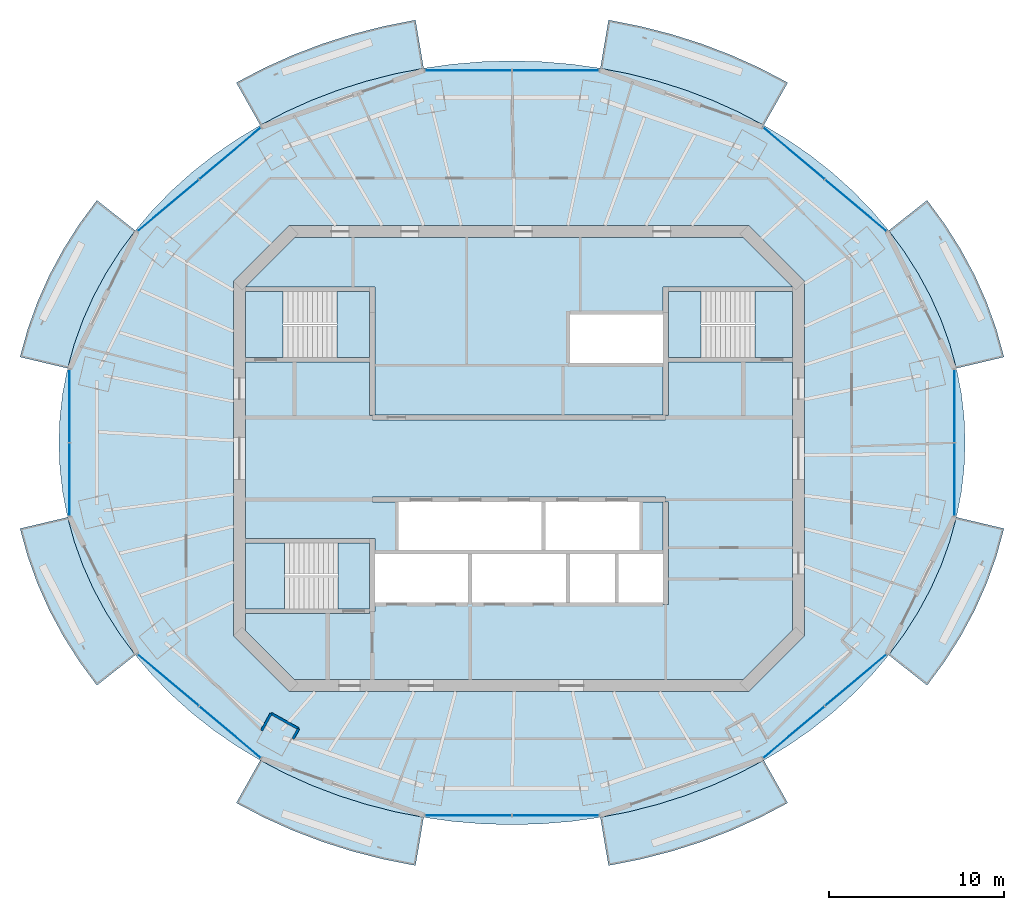
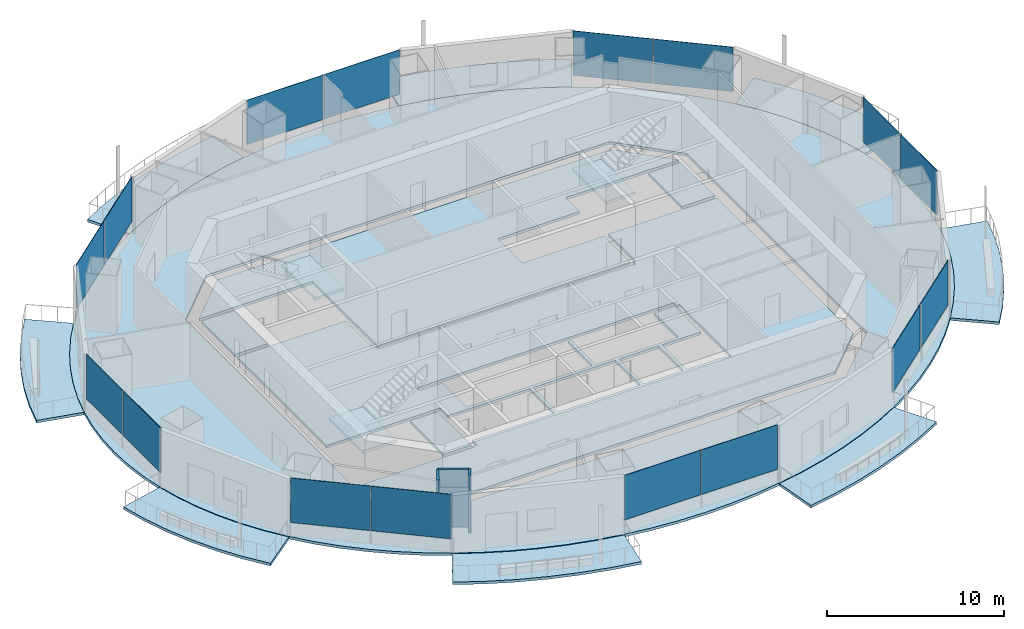
# One storey, part 7 of 16: 17 slabs, 16 plates, 3 walls, 11 elements without a shape of their own.
"""IFC4 building model written with IfcOpenShell, lengths in metres."""

from ifc_helpers import new_model, si_unit, direction, frame, frame_2d, origin, origin_2d, place, context, subcontext, project, spatial, polyline, rectangle, outline, extrude, material, layer, layer_set, type_object, element, aggregate, save


model = new_model("IFC4")

# Units and contexts
model_context = context("Model", 3, precision=1e-05, world=origin(), true_north=direction((0.0, 1.0)))
body_context = subcontext(model_context, "Body", "Model", "MODEL_VIEW")
ifc_project = project(units=[si_unit("LENGTHUNIT", "METRE"), si_unit("AREAUNIT", "SQUARE_METRE"), si_unit("VOLUMEUNIT", "CUBIC_METRE"), si_unit("PLANEANGLEUNIT", "RADIAN"), si_unit("MASSUNIT", "GRAM", prefix="KILO")], contexts=[model_context])

# Site, building, storey
site_placement = place(None, origin())
site = spatial("IfcSite", under=ifc_project, at=site_placement, CompositionType="ELEMENT")
building_placement = place(site_placement, origin())
building = spatial("IfcBuilding", under=site, at=building_placement, Name="Marenthal Gate Tower", CompositionType="ELEMENT")
storey_placement = place(building_placement, frame((0.0, 0.0, 379.949951171875)))
storey = spatial("IfcBuildingStorey", under=building, at=storey_placement, Name="L86", CompositionType="ELEMENT", Elevation=379.949951171875)

# Slabs
ifc_material_1 = material(Name="Concrete 40 MPa", Category="concrete")
ifc_layer_1 = layer(ifc_material_1, 0.179931640625)
ifc_layer_set_1 = layer_set([ifc_layer_1], Name="Balcony deck 180")
slab_type_1 = type_object("IfcSlabType", Name="Balcony deck 180", PredefinedType="USERDEFINED", material=ifc_layer_set_1)
slab_1_placement = place(storey_placement, frame((0.0, 0.0, -0.219970703125)))
element("IfcSlab", 1, at=slab_1_placement, inside=storey, type_object=slab_type_1, Name="Balcony deck L86 bay 1", ObjectType="BALCONY", PredefinedType="USERDEFINED", context=body_context, shape_type="SweptSolid", body=[
    extrude(outline(polyline([(25.04345703125, 5.16552734375), (24.657958984375, 6.55908203125), (24.165283203125, 7.92822265625), (23.5673828125, 9.267333984375), (22.86669921875, 10.570556640625), (22.06640625, 11.83251953125), (21.169921875, 13.047607421875), (23.3642578125, 14.786865234375), (24.37646484375, 13.414794921875), (25.283447265625, 11.984619140625), (26.080322265625, 10.50244140625), (26.762451171875, 8.974365234375), (27.326416015625, 7.407470703125), (27.7685546875, 5.808837890625), (25.04345703125, 5.16552734375)])), origin(), (0.0, 0.0, 1.0), 0.179931640625),
])
slab_2_placement = place(storey_placement, frame((0.0, 0.0, -0.219970703125)))
element("IfcSlab", 2, at=slab_2_placement, inside=storey, type_object=slab_type_1, Name="Balcony deck L86 bay 3", ObjectType="BALCONY", PredefinedType="USERDEFINED", context=body_context, shape_type="SweptSolid", body=[
    extrude(outline(polyline([(14.0126953125, 19.080078125), (12.571044921875, 19.835693359375), (11.073974609375, 20.510009765625), (9.527587890625, 21.1005859375), (7.938720703125, 21.6044921875), (6.314208984375, 22.02001953125), (4.660888671875, 22.344970703125), (5.1240234375, 25.1064453125), (6.93115234375, 24.751220703125), (8.708984375, 24.296630859375), (10.450439453125, 23.744140625), (12.148681640625, 23.095703125), (13.796142578125, 22.353271484375), (15.386474609375, 21.519775390625), (14.0126953125, 19.080078125)])), origin(), (0.0, 0.0, 1.0), 0.179931640625),
])
slab_3_placement = place(storey_placement, frame((0.0, 0.0, -0.219970703125)))
element("IfcSlab", 3, at=slab_3_placement, inside=storey, type_object=slab_type_1, Name="Balcony deck L86 bay 5", ObjectType="BALCONY", PredefinedType="USERDEFINED", context=body_context, shape_type="SweptSolid", body=[
    extrude(outline(polyline([(-5.4609375, 22.344970703125), (-7.1142578125, 22.02001953125), (-8.73876953125, 21.6044921875), (-10.32763671875, 21.1005859375), (-11.873779296875, 20.510009765625), (-13.37109375, 19.835693359375), (-14.8125, 19.080078125), (-16.1865234375, 21.519775390625), (-14.59619140625, 22.353271484375), (-12.948486328125, 23.095703125), (-11.25048828125, 23.744140625), (-9.509033203125, 24.296630859375), (-7.731201171875, 24.751220703125), (-5.924072265625, 25.1064453125), (-5.4609375, 22.344970703125)])), origin(), (0.0, 0.0, 1.0), 0.179931640625),
])
slab_4_placement = place(storey_placement, frame((0.0, 0.0, -0.219970703125)))
element("IfcSlab", 4, at=slab_4_placement, inside=storey, type_object=slab_type_1, Name="Balcony deck L86 bay 7", ObjectType="BALCONY", PredefinedType="USERDEFINED", context=body_context, shape_type="SweptSolid", body=[
    extrude(outline(polyline([(-21.969970703125, 13.047607421875), (-22.866455078125, 11.83251953125), (-23.666748046875, 10.570556640625), (-24.3671875, 9.267333984375), (-24.96533203125, 7.92822265625), (-25.4580078125, 6.55908203125), (-25.843505859375, 5.16552734375), (-28.568603515625, 5.808837890625), (-28.12646484375, 7.407470703125), (-27.5625, 8.974365234375), (-26.880126953125, 10.50244140625), (-26.08349609375, 11.984619140625), (-25.176513671875, 13.414794921875), (-24.1640625, 14.786865234375), (-21.969970703125, 13.047607421875)])), origin(), (0.0, 0.0, 1.0), 0.179931640625),
])
slab_5_placement = place(storey_placement, frame((0.0, 0.0, -0.219970703125)))
element("IfcSlab", 5, at=slab_5_placement, inside=storey, type_object=slab_type_1, Name="Balcony deck L86 bay 9", ObjectType="BALCONY", PredefinedType="USERDEFINED", context=body_context, shape_type="SweptSolid", body=[
    extrude(outline(polyline([(-25.843505859375, -3.365478515625), (-25.4580078125, -4.759033203125), (-24.96533203125, -6.12841796875), (-24.3671875, -7.46728515625), (-23.666748046875, -8.7705078125), (-22.866455078125, -10.032470703125), (-21.969970703125, -11.24755859375), (-24.1640625, -12.987060546875), (-25.176513671875, -11.61474609375), (-26.08349609375, -10.1845703125), (-26.880126953125, -8.702392578125), (-27.5625, -7.17431640625), (-28.12646484375, -5.607421875), (-28.568603515625, -4.0087890625), (-25.843505859375, -3.365478515625)])), origin(), (0.0, 0.0, 1.0), 0.179931640625),
])
slab_6_placement = place(storey_placement, frame((0.0, 0.0, -0.219970703125)))
element("IfcSlab", 6, at=slab_6_placement, inside=storey, type_object=slab_type_1, Name="Balcony deck L86 bay 11", ObjectType="BALCONY", PredefinedType="USERDEFINED", context=body_context, shape_type="SweptSolid", body=[
    extrude(outline(polyline([(-14.8125, -17.280029296875), (-13.37109375, -18.03564453125), (-11.873779296875, -18.710205078125), (-10.32763671875, -19.300537109375), (-8.73876953125, -19.8046875), (-7.1142578125, -20.219970703125), (-5.4609375, -20.544921875), (-5.924072265625, -23.306396484375), (-7.731201171875, -22.951171875), (-9.509033203125, -22.49658203125), (-11.25048828125, -21.944091796875), (-12.948486328125, -21.295654296875), (-14.59619140625, -20.55322265625), (-16.1865234375, -19.7197265625), (-14.8125, -17.280029296875)])), origin(), (0.0, 0.0, 1.0), 0.179931640625),
])
slab_7_placement = place(storey_placement, frame((0.0, 0.0, -0.219970703125)))
element("IfcSlab", 7, at=slab_7_placement, inside=storey, type_object=slab_type_1, Name="Balcony deck L86 bay 13", ObjectType="BALCONY", PredefinedType="USERDEFINED", context=body_context, shape_type="SweptSolid", body=[
    extrude(outline(polyline([(4.660888671875, -20.544921875), (6.314208984375, -20.219970703125), (7.938720703125, -19.8046875), (9.527587890625, -19.300537109375), (11.073974609375, -18.710205078125), (12.571044921875, -18.03564453125), (14.0126953125, -17.280029296875), (15.386474609375, -19.7197265625), (13.796142578125, -20.55322265625), (12.148681640625, -21.295654296875), (10.450439453125, -21.944091796875), (8.708984375, -22.49658203125), (6.93115234375, -22.951171875), (5.1240234375, -23.306396484375), (4.660888671875, -20.544921875)])), origin(), (0.0, 0.0, 1.0), 0.179931640625),
])
slab_8_placement = place(storey_placement, frame((0.0, 0.0, -0.219970703125)))
element("IfcSlab", 8, at=slab_8_placement, inside=storey, type_object=slab_type_1, Name="Balcony deck L86 bay 15", ObjectType="BALCONY", PredefinedType="USERDEFINED", context=body_context, shape_type="SweptSolid", body=[
    extrude(outline(polyline([(21.169921875, -11.24755859375), (22.06640625, -10.032470703125), (22.86669921875, -8.7705078125), (23.5673828125, -7.46728515625), (24.165283203125, -6.12841796875), (24.657958984375, -4.759033203125), (25.04345703125, -3.365478515625), (27.7685546875, -4.0087890625), (27.326416015625, -5.607421875), (26.762451171875, -7.17431640625), (26.080322265625, -8.702392578125), (25.283447265625, -10.1845703125), (24.37646484375, -11.61474609375), (23.3642578125, -12.987060546875), (21.169921875, -11.24755859375)])), origin(), (0.0, 0.0, 1.0), 0.179931640625),
])
ifc_material_2 = material(Name="Concrete 50 MPa", Category="concrete")
ifc_layer_2 = layer(ifc_material_2, 0.179931640625)
ifc_layer_set_2 = layer_set([ifc_layer_2], Name="Core floor slab 180")
slab_type_2 = type_object("IfcSlabType", Name="Core floor slab 180", PredefinedType="FLOOR", material=ifc_layer_set_2)
slab_9_placement = place(storey_placement, frame((0.0, 0.0, -0.179931640625)))
element("IfcSlab", 9, at=slab_9_placement, inside=storey, type_object=slab_type_2, Name="Core floor L86", PredefinedType="FLOOR", context=body_context, shape_type="SweptSolid", body=[
    extrude(outline(polyline([(12.85498046875, -12.64990234375), (-12.85498046875, -12.64990234375), (-15.64990234375, -9.85498046875), (-15.64990234375, -8.875), (-8.550048828125, -8.875), (-8.550048828125, -8.75), (-8.25, -8.75), (-8.25, -8.239990234375), (-5.60009765625, -8.239990234375), (-2.909912109375, -8.239990234375), (-2.909912109375, -5.4599609375), (-5.60009765625, -5.4599609375), (-8.25, -5.4599609375), (-8.25, -4.574951171875), (-8.550048828125, -4.574951171875), (-15.64990234375, -4.574951171875), (-15.64990234375, 5.52490234375), (-8.550048828125, 5.52490234375), (-8.550048828125, 2.5), (-8.39990234375, 2.5), (-8.39990234375, 2.199951171875), (8.39990234375, 2.199951171875), (8.39990234375, 2.5), (8.550048828125, 2.5), (8.550048828125, 5.52490234375), (15.64990234375, 5.52490234375), (15.64990234375, -9.85498046875), (12.85498046875, -12.64990234375)]), holes=[polyline([(0.0, -8.239990234375), (2.68994140625, -8.239990234375), (2.68994140625, -5.4599609375), (0.0, -5.4599609375), (-2.68994140625, -5.4599609375), (-2.68994140625, -8.239990234375), (0.0, -8.239990234375)]), polyline([(1.2900390625, -5.239990234375), (1.2900390625, -2.5), (1.510009765625, -2.5), (1.510009765625, -5.239990234375), (4.199951171875, -5.239990234375), (6.889892578125, -5.239990234375), (6.889892578125, -2.5), (8.25, -2.5), (8.25, -5.4599609375), (5.7099609375, -5.4599609375), (5.7099609375, -8.239990234375), (8.25, -8.239990234375), (8.25, -8.35009765625), (8.550048828125, -8.35009765625), (8.550048828125, -2.5), (8.39990234375, -2.5), (8.39990234375, -2.199951171875), (-8.39990234375, -2.199951171875), (-8.39990234375, -2.5), (-6.889892578125, -2.5), (-6.889892578125, -5.239990234375), (-4.199951171875, -5.239990234375), (-1.39990234375, -5.239990234375), (1.2900390625, -5.239990234375)]), polyline([(5.489990234375, -5.4599609375), (2.909912109375, -5.4599609375), (2.909912109375, -8.239990234375), (5.489990234375, -8.239990234375), (5.489990234375, -5.4599609375)])]), origin(), (0.0, 0.0, 1.0), 0.179931640625),
])
slab_10_placement = place(storey_placement, frame((0.0, 0.0, -0.179931640625)))
element("IfcSlab", 10, at=slab_10_placement, inside=storey, type_object=slab_type_2, Name="Core floor L86", PredefinedType="FLOOR", context=body_context, shape_type="SweptSolid", body=[
    extrude(outline(polyline([(15.64990234375, 5.77490234375), (13.5, 5.77490234375), (13.5, 9.574951171875), (15.64990234375, 9.574951171875), (15.64990234375, 5.77490234375)])), origin(), (0.0, 0.0, 1.0), 0.179931640625),
])
slab_11_placement = place(storey_placement, frame((0.0, 0.0, -0.179931640625)))
element("IfcSlab", 11, at=slab_11_placement, inside=storey, type_object=slab_type_2, Name="Core floor L86", PredefinedType="FLOOR", context=body_context, shape_type="SweptSolid", body=[
    extrude(outline(polyline([(15.64990234375, 9.824951171875), (8.550048828125, 9.824951171875), (8.25, 9.824951171875), (8.25, 8.35009765625), (8.25, 8.239990234375), (5.60009765625, 8.239990234375), (2.909912109375, 8.239990234375), (2.909912109375, 5.4599609375), (5.60009765625, 5.4599609375), (8.25, 5.4599609375), (8.25, 2.5), (-8.25, 2.5), (-8.25, 8.35009765625), (-8.25, 9.824951171875), (-8.550048828125, 9.824951171875), (-15.64990234375, 9.824951171875), (-15.64990234375, 9.85498046875), (-12.85498046875, 12.64990234375), (12.85498046875, 12.64990234375), (15.64990234375, 9.85498046875), (15.64990234375, 9.824951171875)])), origin(), (0.0, 0.0, 1.0), 0.179931640625),
])
slab_12_placement = place(storey_placement, frame((0.0, 0.0, -0.179931640625)))
element("IfcSlab", 12, at=slab_12_placement, inside=storey, type_object=slab_type_2, Name="Core floor L86", PredefinedType="FLOOR", context=body_context, shape_type="SweptSolid", body=[
    extrude(outline(polyline([(-15.64990234375, 9.574951171875), (-13.5, 9.574951171875), (-13.5, 5.77490234375), (-15.64990234375, 5.77490234375), (-15.64990234375, 9.574951171875)])), origin(), (0.0, 0.0, 1.0), 0.179931640625),
])
slab_13_placement = place(storey_placement, frame((0.0, 0.0, -0.179931640625)))
element("IfcSlab", 13, at=slab_13_placement, inside=storey, type_object=slab_type_2, Name="Core floor L86", PredefinedType="FLOOR", context=body_context, shape_type="SweptSolid", body=[
    extrude(outline(polyline([(-8.550048828125, -4.824951171875), (-8.550048828125, -8.625), (-10.35009765625, -8.625), (-10.35009765625, -4.824951171875), (-8.550048828125, -4.824951171875)])), origin(), (0.0, 0.0, 1.0), 0.179931640625),
])
ifc_material_3 = material(Name="Concrete 35 MPa", Category="concrete")
ifc_layer_3 = layer(ifc_material_3, 0.179931640625)
ifc_layer_set_3 = layer_set([ifc_layer_3], Name="Floor slab 180")
slab_type_3 = type_object("IfcSlabType", Name="Floor slab 180", PredefinedType="FLOOR", material=ifc_layer_set_3)
slab_14_placement = place(storey_placement, frame((0.0, 0.0, -0.179931640625)))
element("IfcSlab", 14, at=slab_14_placement, inside=storey, type_object=slab_type_3, Name="SL-L86-01", PredefinedType="FLOOR", context=body_context, shape_type="SweptSolid", body=[
    extrude(outline(polyline([(25.5419921875, 0.89990234375), (25.486572265625, 2.330078125), (25.320068359375, 3.75390625), (25.04345703125, 5.16552734375), (24.657958984375, 6.55908203125), (24.165283203125, 7.92822265625), (23.5673828125, 9.267333984375), (22.86669921875, 10.570556640625), (22.06640625, 11.83251953125), (21.169921875, 13.047607421875), (20.18115234375, 14.210693359375), (19.104248046875, 15.316650390625), (17.94384765625, 16.36083984375), (16.70458984375, 17.339111328125), (15.392578125, 18.24658203125), (14.0126953125, 19.080078125), (12.571044921875, 19.835693359375), (11.073974609375, 20.510009765625), (9.527587890625, 21.1005859375), (7.938720703125, 21.6044921875), (6.314208984375, 22.02001953125), (4.660888671875, 22.344970703125), (2.986083984375, 22.577880859375), (1.296630859375, 22.71826171875), (-0.39990234375, 22.764892578125), (-2.0966796875, 22.71826171875), (-3.7861328125, 22.577880859375), (-5.4609375, 22.344970703125), (-7.1142578125, 22.02001953125), (-8.73876953125, 21.6044921875), (-10.32763671875, 21.1005859375), (-11.873779296875, 20.510009765625), (-13.37109375, 19.835693359375), (-14.8125, 19.080078125), (-16.1923828125, 18.24658203125), (-17.504638671875, 17.339111328125), (-18.743896484375, 16.36083984375), (-19.904296875, 15.316650390625), (-20.981201171875, 14.210693359375), (-21.969970703125, 13.047607421875), (-22.866455078125, 11.83251953125), (-23.666748046875, 10.570556640625), (-24.3671875, 9.267333984375), (-24.96533203125, 7.92822265625), (-25.4580078125, 6.55908203125), (-25.843505859375, 5.16552734375), (-26.1201171875, 3.75390625), (-26.28662109375, 2.330078125), (-26.342041015625, 0.89990234375), (-26.28662109375, -0.530029296875), (-26.1201171875, -1.9541015625), (-25.843505859375, -3.365478515625), (-25.4580078125, -4.759033203125), (-24.96533203125, -6.12841796875), (-24.3671875, -7.46728515625), (-23.666748046875, -8.7705078125), (-22.866455078125, -10.032470703125), (-21.969970703125, -11.24755859375), (-20.981201171875, -12.41064453125), (-19.904296875, -13.5166015625), (-18.743896484375, -14.560791015625), (-17.504638671875, -15.5390625), (-16.1923828125, -16.44677734375), (-14.8125, -17.280029296875), (-13.37109375, -18.03564453125), (-11.873779296875, -18.710205078125), (-10.32763671875, -19.300537109375), (-8.73876953125, -19.8046875), (-7.1142578125, -20.219970703125), (-5.4609375, -20.544921875), (-3.7861328125, -20.77783203125), (-2.0966796875, -20.918212890625), (-0.39990234375, -20.965087890625), (1.296630859375, -20.918212890625), (2.986083984375, -20.77783203125), (4.660888671875, -20.544921875), (6.314208984375, -20.219970703125), (7.938720703125, -19.8046875), (9.527587890625, -19.300537109375), (11.073974609375, -18.710205078125), (12.571044921875, -18.03564453125), (14.0126953125, -17.280029296875), (15.392578125, -16.44677734375), (16.70458984375, -15.5390625), (17.94384765625, -14.560791015625), (19.104248046875, -13.5166015625), (20.18115234375, -12.41064453125), (21.169921875, -11.24755859375), (22.06640625, -10.032470703125), (22.86669921875, -8.7705078125), (23.5673828125, -7.46728515625), (24.165283203125, -6.12841796875), (24.657958984375, -4.759033203125), (25.04345703125, -3.365478515625), (25.320068359375, -1.9541015625), (25.486572265625, -0.530029296875), (25.5419921875, 0.89990234375)]), holes=[polyline([(13.14501953125, -13.35009765625), (16.35009765625, -10.14501953125), (16.35009765625, 10.14501953125), (13.14501953125, 13.35009765625), (-13.14501953125, 13.35009765625), (-16.35009765625, 10.14501953125), (-16.35009765625, -10.14501953125), (-13.14501953125, -13.35009765625), (13.14501953125, -13.35009765625)])]), origin(), (0.0, 0.0, 1.0), 0.179931640625),
])

# Curtain wall, plates
ifc_material_4 = material(Name="Aluminium and glass", Category="aluminium")
curtain_wall_type = type_object("IfcCurtainWallType", Name="Curtain wall typical high", PredefinedType="NOTDEFINED", material=ifc_material_4)
curtain_wall_1_placement = place(storey_placement, origin())
curtain_wall_1 = element("IfcCurtainWall", 15, at=curtain_wall_1_placement, inside=storey, type_object=curtain_wall_type, Name="Curtain wall L86 bay 2", PredefinedType="NOTDEFINED")
ifc_material_5 = material(Name="Glass, laminated insulating unit", Category="glass")
ifc_layer_4 = layer(ifc_material_5, 0.031982421875)
ifc_layer_set_4 = layer_set([ifc_layer_4], Name="Glass panel 32 typical high")
plate_type = type_object("IfcPlateType", Name="Glass panel 32 typical high", PredefinedType="CURTAIN_PANEL", material=ifc_layer_set_4)
plate_1_placement = place(storey_placement, frame((19.277587890625, 14.490478515625, 0.89990234375), z_axis=(0.0, 0.0, 1.0), x_axis=(-0.764911754961, 0.64413508453, 0.0)))
plate_1 = element("IfcPlate", 16, at=plate_1_placement, type_object=plate_type, Name="Glass panel L86 bay 2.1", PredefinedType="CURTAIN_PANEL", context=body_context, shape_type="SweptSolid", body=[
    extrude(rectangle(XDim=4.56689453125, YDim=0.031982421875, at=origin_2d()), origin(), (0.0, 0.0, 1.0), 3.070068359375),
])
plate_2_placement = place(storey_placement, frame((15.738525390625, 17.470703125, 0.89990234375), z_axis=(0.0, 0.0, 1.0), x_axis=(-0.764911754961, 0.64413508453, 0.0)))
plate_2 = element("IfcPlate", 17, at=plate_2_placement, type_object=plate_type, Name="Glass panel L86 bay 2.2", PredefinedType="CURTAIN_PANEL", context=body_context, shape_type="SweptSolid", body=[
    extrude(rectangle(XDim=4.56689453125, YDim=0.031982421875, at=origin_2d()), origin(), (0.0, 0.0, 1.0), 3.070068359375),
])
aggregate(curtain_wall_1, [plate_1, plate_2])

curtain_wall_2_placement = place(storey_placement, origin())
curtain_wall_2 = element("IfcCurtainWall", 18, at=curtain_wall_2_placement, inside=storey, type_object=curtain_wall_type, Name="Curtain wall L86 bay 4", PredefinedType="NOTDEFINED")
plate_3_placement = place(storey_placement, frame((2.103759765625, 22.227294921875, 0.89990234375), z_axis=(0.0, 0.0, 1.0), x_axis=(-1.0, 0.0, 0.0)))
plate_3 = element("IfcPlate", 19, at=plate_3_placement, type_object=plate_type, Name="Glass panel L86 bay 4.1", PredefinedType="CURTAIN_PANEL", context=body_context, shape_type="SweptSolid", body=[
    extrude(rectangle(XDim=4.947509765625, YDim=0.031982421875, at=origin_2d()), origin(), (0.0, 0.0, 1.0), 3.070068359375),
])
plate_4_placement = place(storey_placement, frame((-2.90380859375, 22.227294921875, 0.89990234375), z_axis=(0.0, 0.0, 1.0), x_axis=(-1.0, 0.0, 0.0)))
plate_4 = element("IfcPlate", 20, at=plate_4_placement, type_object=plate_type, Name="Glass panel L86 bay 4.2", PredefinedType="CURTAIN_PANEL", context=body_context, shape_type="SweptSolid", body=[
    extrude(rectangle(XDim=4.947509765625, YDim=0.031982421875, at=origin_2d()), origin(), (0.0, 0.0, 1.0), 3.070068359375),
])
aggregate(curtain_wall_2, [plate_3, plate_4])

curtain_wall_3_placement = place(storey_placement, origin())
curtain_wall_3 = element("IfcCurtainWall", 21, at=curtain_wall_3_placement, inside=storey, type_object=curtain_wall_type, Name="Curtain wall L86 bay 6", PredefinedType="NOTDEFINED")
plate_5_placement = place(storey_placement, frame((-16.538330078125, 17.470703125, 0.89990234375), z_axis=(0.0, 0.0, 1.0), x_axis=(-0.764911754961, -0.64413508453, 0.0)))
plate_5 = element("IfcPlate", 22, at=plate_5_placement, type_object=plate_type, Name="Glass panel L86 bay 6.1", PredefinedType="CURTAIN_PANEL", context=body_context, shape_type="SweptSolid", body=[
    extrude(rectangle(XDim=4.56689453125, YDim=0.031982421875, at=origin_2d()), origin(), (0.0, 0.0, 1.0), 3.070068359375),
])
plate_6_placement = place(storey_placement, frame((-20.07763671875, 14.490478515625, 0.89990234375), z_axis=(0.0, 0.0, 1.0), x_axis=(-0.764911754961, -0.64413508453, 0.0)))
plate_6 = element("IfcPlate", 23, at=plate_6_placement, type_object=plate_type, Name="Glass panel L86 bay 6.2", PredefinedType="CURTAIN_PANEL", context=body_context, shape_type="SweptSolid", body=[
    extrude(rectangle(XDim=4.56689453125, YDim=0.031982421875, at=origin_2d()), origin(), (0.0, 0.0, 1.0), 3.070068359375),
])
aggregate(curtain_wall_3, [plate_5, plate_6])

curtain_wall_4_placement = place(storey_placement, origin())
curtain_wall_4 = element("IfcCurtainWall", 24, at=curtain_wall_4_placement, inside=storey, type_object=curtain_wall_type, Name="Curtain wall L86 bay 8", PredefinedType="NOTDEFINED")
plate_7_placement = place(storey_placement, frame((-25.725830078125, 3.006103515625, 0.89990234375), z_axis=(0.0, 0.0, 1.0), x_axis=(0.0, -1.0, 0.0)))
plate_7 = element("IfcPlate", 25, at=plate_7_placement, type_object=plate_type, Name="Glass panel L86 bay 8.1", PredefinedType="CURTAIN_PANEL", context=body_context, shape_type="SweptSolid", body=[
    extrude(rectangle(XDim=4.152099609375, YDim=0.031982421875, at=origin_2d()), origin(), (0.0, 0.0, 1.0), 3.070068359375),
])
plate_8_placement = place(storey_placement, frame((-25.725830078125, -1.2060546875, 0.89990234375), z_axis=(0.0, 0.0, 1.0), x_axis=(0.0, -1.0, 0.0)))
plate_8 = element("IfcPlate", 26, at=plate_8_placement, type_object=plate_type, Name="Glass panel L86 bay 8.2", PredefinedType="CURTAIN_PANEL", context=body_context, shape_type="SweptSolid", body=[
    extrude(rectangle(XDim=4.152099609375, YDim=0.031982421875, at=origin_2d()), origin(), (0.0, 0.0, 1.0), 3.070068359375),
])
aggregate(curtain_wall_4, [plate_7, plate_8])

curtain_wall_5_placement = place(storey_placement, origin())
curtain_wall_5 = element("IfcCurtainWall", 27, at=curtain_wall_5_placement, inside=storey, type_object=curtain_wall_type, Name="Curtain wall L86 bay 10", PredefinedType="NOTDEFINED")
plate_9_placement = place(storey_placement, frame((-20.07763671875, -12.6904296875, 0.89990234375), z_axis=(0.0, 0.0, 1.0), x_axis=(0.764911754961, -0.64413508453, 0.0)))
plate_9 = element("IfcPlate", 28, at=plate_9_placement, type_object=plate_type, Name="Glass panel L86 bay 10.1", PredefinedType="CURTAIN_PANEL", context=body_context, shape_type="SweptSolid", body=[
    extrude(rectangle(XDim=4.56689453125, YDim=0.031982421875, at=origin_2d()), origin(), (0.0, 0.0, 1.0), 3.070068359375),
])
plate_10_placement = place(storey_placement, frame((-16.53857421875, -15.6708984375, 0.89990234375), z_axis=(0.0, 0.0, 1.0), x_axis=(0.764911754961, -0.64413508453, 0.0)))
plate_10 = element("IfcPlate", 29, at=plate_10_placement, type_object=plate_type, Name="Glass panel L86 bay 10.2", PredefinedType="CURTAIN_PANEL", context=body_context, shape_type="SweptSolid", body=[
    extrude(rectangle(XDim=4.56689453125, YDim=0.031982421875, at=origin_2d()), origin(), (0.0, 0.0, 1.0), 3.070068359375),
])
aggregate(curtain_wall_5, [plate_9, plate_10])

curtain_wall_6_placement = place(storey_placement, origin())
curtain_wall_6 = element("IfcCurtainWall", 30, at=curtain_wall_6_placement, inside=storey, type_object=curtain_wall_type, Name="Curtain wall L86 bay 12", PredefinedType="NOTDEFINED")
plate_11_placement = place(storey_placement, frame((-2.90380859375, -20.42724609375, 0.89990234375), z_axis=(0.0, 0.0, 1.0), x_axis=(1.0, 0.0, 0.0)))
plate_11 = element("IfcPlate", 31, at=plate_11_placement, type_object=plate_type, Name="Glass panel L86 bay 12.1", PredefinedType="CURTAIN_PANEL", context=body_context, shape_type="SweptSolid", body=[
    extrude(rectangle(XDim=4.947509765625, YDim=0.031982421875, at=origin_2d()), origin(), (0.0, 0.0, 1.0), 3.070068359375),
])
plate_12_placement = place(storey_placement, frame((2.103759765625, -20.42724609375, 0.89990234375), z_axis=(0.0, 0.0, 1.0), x_axis=(1.0, 0.0, 0.0)))
plate_12 = element("IfcPlate", 32, at=plate_12_placement, type_object=plate_type, Name="Glass panel L86 bay 12.2", PredefinedType="CURTAIN_PANEL", context=body_context, shape_type="SweptSolid", body=[
    extrude(rectangle(XDim=4.947509765625, YDim=0.031982421875, at=origin_2d()), origin(), (0.0, 0.0, 1.0), 3.070068359375),
])
aggregate(curtain_wall_6, [plate_11, plate_12])

curtain_wall_7_placement = place(storey_placement, origin())
curtain_wall_7 = element("IfcCurtainWall", 33, at=curtain_wall_7_placement, inside=storey, type_object=curtain_wall_type, Name="Curtain wall L86 bay 14", PredefinedType="NOTDEFINED")
plate_13_placement = place(storey_placement, frame((15.738525390625, -15.6708984375, 0.89990234375), z_axis=(0.0, 0.0, 1.0), x_axis=(0.764911754961, 0.64413508453, 0.0)))
plate_13 = element("IfcPlate", 34, at=plate_13_placement, type_object=plate_type, Name="Glass panel L86 bay 14.1", PredefinedType="CURTAIN_PANEL", context=body_context, shape_type="SweptSolid", body=[
    extrude(rectangle(XDim=4.56689453125, YDim=0.031982421875, at=origin_2d()), origin(), (0.0, 0.0, 1.0), 3.070068359375),
])
plate_14_placement = place(storey_placement, frame((19.277587890625, -12.6904296875, 0.89990234375), z_axis=(0.0, 0.0, 1.0), x_axis=(0.764911754961, 0.64413508453, 0.0)))
plate_14 = element("IfcPlate", 35, at=plate_14_placement, type_object=plate_type, Name="Glass panel L86 bay 14.2", PredefinedType="CURTAIN_PANEL", context=body_context, shape_type="SweptSolid", body=[
    extrude(rectangle(XDim=4.56689453125, YDim=0.031982421875, at=origin_2d()), origin(), (0.0, 0.0, 1.0), 3.070068359375),
])
aggregate(curtain_wall_7, [plate_13, plate_14])

curtain_wall_8_placement = place(storey_placement, origin())
curtain_wall_8 = element("IfcCurtainWall", 36, at=curtain_wall_8_placement, inside=storey, type_object=curtain_wall_type, Name="Curtain wall L86 bay 16", PredefinedType="NOTDEFINED")
plate_15_placement = place(storey_placement, frame((24.92578125, -1.2060546875, 0.89990234375), z_axis=(0.0, 0.0, 1.0), x_axis=(0.0, 1.0, 0.0)))
plate_15 = element("IfcPlate", 37, at=plate_15_placement, type_object=plate_type, Name="Glass panel L86 bay 16.1", PredefinedType="CURTAIN_PANEL", context=body_context, shape_type="SweptSolid", body=[
    extrude(rectangle(XDim=4.152099609375, YDim=0.031982421875, at=origin_2d()), origin(), (0.0, 0.0, 1.0), 3.070068359375),
])
plate_16_placement = place(storey_placement, frame((24.92578125, 3.006103515625, 0.89990234375), z_axis=(0.0, 0.0, 1.0), x_axis=(0.0, 1.0, 0.0)))
plate_16 = element("IfcPlate", 38, at=plate_16_placement, type_object=plate_type, Name="Glass panel L86 bay 16.2", PredefinedType="CURTAIN_PANEL", context=body_context, shape_type="SweptSolid", body=[
    extrude(rectangle(XDim=4.152099609375, YDim=0.031982421875, at=origin_2d()), origin(), (0.0, 0.0, 1.0), 3.070068359375),
])
aggregate(curtain_wall_8, [plate_15, plate_16])

# Stair, slab
ifc_material_6 = material(Name="Concrete 40 MPa", Category="concrete")
stair_type = type_object("IfcStairType", Name="Exit stair 1800", PredefinedType="HALF_TURN_STAIR", material=ifc_material_6)
stair_1_placement = place(storey_placement, origin())
stair_1 = element("IfcStair", 39, at=stair_1_placement, inside=storey, type_object=stair_type, Name="Stair ST1", PredefinedType="HALF_TURN_STAIR")
ifc_material_7 = material(Name="Concrete 40 MPa", Category="concrete")
ifc_layer_5 = layer(ifc_material_7, 0.199951171875)
ifc_layer_set_5 = layer_set([ifc_layer_5], Name="Stair landing 200")
slab_type_4 = type_object("IfcSlabType", Name="Stair landing 200", PredefinedType="LANDING", material=ifc_layer_set_5)
slab_15_placement = place(storey_placement, frame((0.0, 0.0, 1.875)))
slab_15 = element("IfcSlab", 40, at=slab_15_placement, type_object=slab_type_4, Name="ST1 landing 1", PredefinedType="LANDING", context=body_context, shape_type="SweptSolid", body=[
    extrude(outline(polyline([(-10.419921875, 5.77490234375), (-8.550048828125, 5.77490234375), (-8.550048828125, 9.574951171875), (-10.419921875, 9.574951171875), (-10.419921875, 5.77490234375)])), origin(), (0.0, 0.0, 1.0), 0.199951171875),
])
aggregate(stair_1, [slab_15])

stair_2_placement = place(storey_placement, origin())
stair_2 = element("IfcStair", 41, at=stair_2_placement, inside=storey, type_object=stair_type, Name="Stair ST2", PredefinedType="HALF_TURN_STAIR")
slab_16_placement = place(storey_placement, frame((0.0, 0.0, 1.875)))
slab_16 = element("IfcSlab", 42, at=slab_16_placement, type_object=slab_type_4, Name="ST2 landing 1", PredefinedType="LANDING", context=body_context, shape_type="SweptSolid", body=[
    extrude(outline(polyline([(-15.64990234375, -8.625), (-13.429931640625, -8.625), (-13.429931640625, -4.824951171875), (-15.64990234375, -4.824951171875), (-15.64990234375, -8.625)])), origin(), (0.0, 0.0, 1.0), 0.199951171875),
])
aggregate(stair_2, [slab_16])

stair_3_placement = place(storey_placement, origin())
stair_3 = element("IfcStair", 43, at=stair_3_placement, inside=storey, type_object=stair_type, Name="Stair ST3", PredefinedType="HALF_TURN_STAIR")
slab_17_placement = place(storey_placement, frame((0.0, 0.0, 1.875)))
slab_17 = element("IfcSlab", 44, at=slab_17_placement, type_object=slab_type_4, Name="ST3 landing 1", PredefinedType="LANDING", context=body_context, shape_type="SweptSolid", body=[
    extrude(outline(polyline([(8.550048828125, 5.77490234375), (10.419921875, 5.77490234375), (10.419921875, 9.574951171875), (8.550048828125, 9.574951171875), (8.550048828125, 5.77490234375)])), origin(), (0.0, 0.0, 1.0), 0.199951171875),
])
aggregate(stair_3, [slab_17])

# Walls
ifc_material_8 = material(Name="Gypsum board on steel studs", Category="steel")
ifc_layer_6 = layer(ifc_material_8, 0.14990234375)
ifc_layer_set_6 = layer_set([ifc_layer_6], Name="Partition 150")
wall_type = type_object("IfcWallType", Name="Partition 150", PredefinedType="PARTITIONING", material=ifc_layer_set_6)
wall_1_placement = place(storey_placement, frame((-14.193115234375, -14.59912109375, 0.0), z_axis=(0.0, 0.0, 1.0), x_axis=(-0.486069101746, -0.873920378712, 0.0)))
element("IfcWall", 45, at=wall_1_placement, inside=storey, type_object=wall_type, Name="Partition wall 57", PredefinedType="PARTITIONING", context=body_context, shape_type="SweptSolid", body=[
    extrude(rectangle(XDim=1.11865234375, YDim=0.14990234375, at=frame_2d((0.559326171875, 0.0))), origin(), (0.0, 0.0, 1.0), 3.969970703125),
])
wall_2_placement = place(storey_placement, frame((-12.9404296875, -16.050048828125, 0.0), z_axis=(0.0, 0.0, 1.0), x_axis=(0.48586284539, 0.874035065355, 0.0)))
element("IfcWall", 46, at=wall_2_placement, inside=storey, type_object=wall_type, Name="Partition wall 58", PredefinedType="PARTITIONING", context=body_context, shape_type="SweptSolid", body=[
    extrude(rectangle(XDim=0.65966796875, YDim=0.14990234375, at=frame_2d((0.329833984375, 0.0))), origin(), (0.0, 0.0, 1.0), 3.969970703125),
])
wall_3_placement = place(storey_placement, frame((-12.619873046875, -15.473388671875, 0.0), z_axis=(0.0, 0.0, 1.0), x_axis=(-0.874099684617, 0.485746581411, 0.0)))
element("IfcWall", 47, at=wall_3_placement, inside=storey, type_object=wall_type, Name="Partition wall 59", PredefinedType="PARTITIONING", context=body_context, shape_type="SweptSolid", body=[
    extrude(rectangle(XDim=1.7998046875, YDim=0.14990234375, at=frame_2d((0.89990234375, 0.0))), origin(), (0.0, 0.0, 1.0), 3.969970703125),
])

save(model, "model.ifc")
